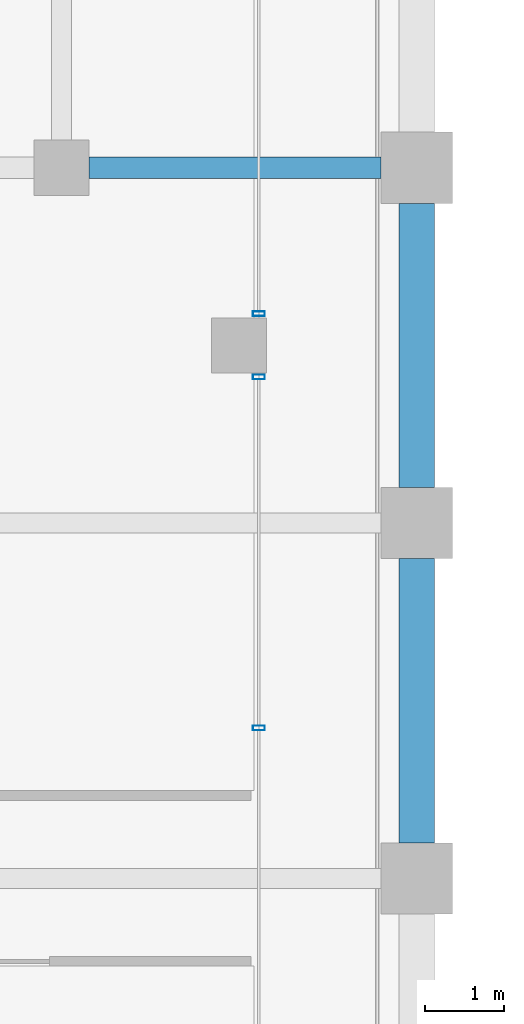
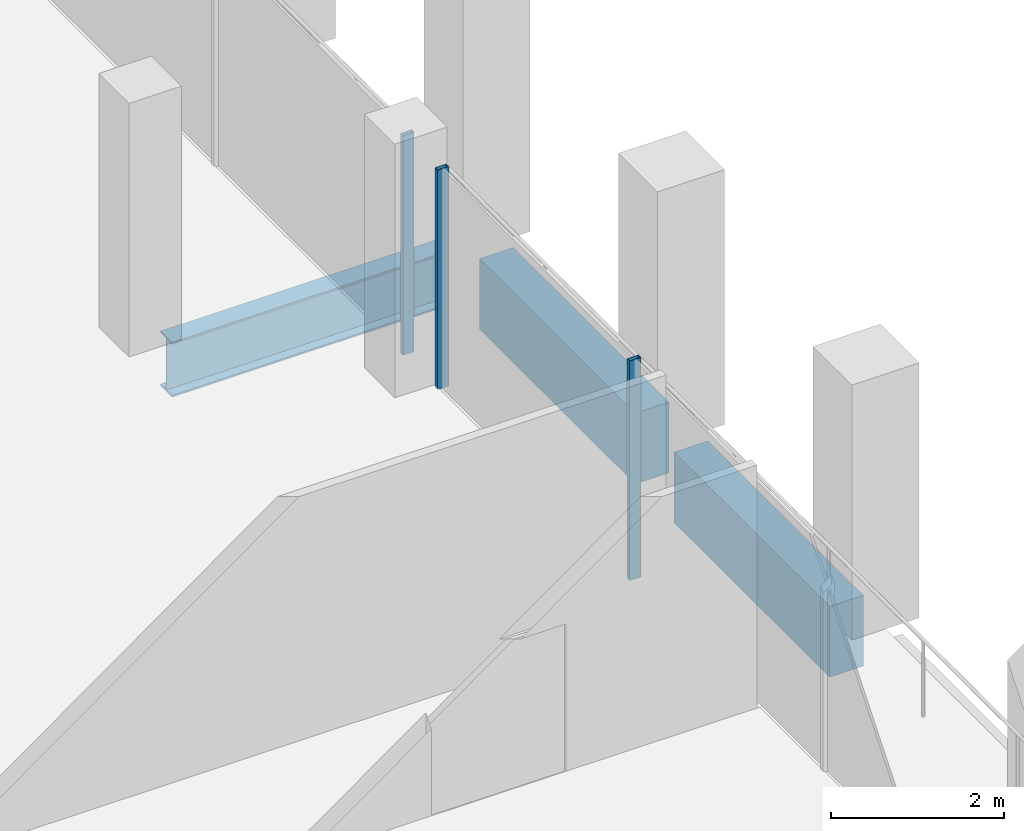
# One storey, part 19 of 40: 3 beams, 3 members, 2 elements without a shape of their own.
"""IFC4 building model written with IfcOpenShell, lengths in metres."""

from ifc_helpers import new_model, si_unit, direction, frame, origin, origin_2d, place, context, subcontext, project, spatial, rectangle, hollow_rectangle, i_section, extrude, material, material_profile, profile_set, type_object, element, aggregate, save


model = new_model("IFC4")

# Units and contexts
model_context = context("Model", 3, precision=1e-05, world=origin(), true_north=direction((0.0, 1.0)))
body_context = subcontext(model_context, "Body", "Model", "MODEL_VIEW")
ifc_project = project(units=[si_unit("LENGTHUNIT", "METRE"), si_unit("AREAUNIT", "SQUARE_METRE"), si_unit("VOLUMEUNIT", "CUBIC_METRE"), si_unit("PLANEANGLEUNIT", "RADIAN"), si_unit("MASSUNIT", "GRAM", prefix="KILO")], contexts=[model_context])

# Site, building, storey
site_placement = place(None, origin())
site = spatial("IfcSite", under=ifc_project, at=site_placement, CompositionType="ELEMENT")
building_placement = place(site_placement, origin())
building = spatial("IfcBuilding", under=site, at=building_placement, Name="Altepetl Exchange Towers", CompositionType="ELEMENT")
storey_placement = place(building_placement, frame((0.0, 0.0, 161.800048828125)))
storey = spatial("IfcBuildingStorey", under=building, at=storey_placement, Name="L40", CompositionType="ELEMENT", Elevation=161.800048828125)

# Beam
ifc_material_1 = material(Name="Steel S355", Category="steel")
ifc_material_profile_1 = material_profile(ifc_material_1, i_section(OverallWidth=0.26806640625, OverallDepth=0.77392578125, WebThickness=0.015380859375, FlangeThickness=0.025390625, at=origin_2d()), Name="W30X132")
ifc_profile_set_1 = profile_set([ifc_material_profile_1], Name="Steel S355")
beam_type_1 = type_object("IfcBeamType", Name="Girder W30X132", PredefinedType="BEAM", material=ifc_profile_set_1)
beam_placement = place(storey_placement, frame((67.85009765625, 58.5, -0.537109375), z_axis=(1.0, 0.0, 0.0), x_axis=(0.0, 1.0, 0.0)))
element("IfcBeam", 1, at=beam_placement, inside=storey, type_object=beam_type_1, Name="gd:A:L40:002", PredefinedType="BEAM", context=body_context, shape_type="SweptSolid", body=[
    extrude(i_section(OverallWidth=0.26806640625, OverallDepth=0.77392578125, WebThickness=0.015380859375, FlangeThickness=0.025390625, at=origin_2d()), origin(), (0.0, 0.0, 1.0), 3.699951171875),
])

# Curtain wall, members
ifc_material_2 = material(Name="Aluminium 6063-T6 glazing", Category="aluminium")
curtain_wall_type = type_object("IfcCurtainWallType", Name="Loggia glazing system", PredefinedType="NOTDEFINED", material=ifc_material_2)
curtain_wall_1_placement = place(storey_placement, origin())
curtain_wall_1 = element("IfcCurtainWall", 2, at=curtain_wall_1_placement, inside=storey, type_object=curtain_wall_type, Name="CW1 run", PredefinedType="NOTDEFINED")
ifc_material_3 = material(Name="Aluminium 6063-T6", Category="aluminium")
ifc_material_profile_2 = material_profile(ifc_material_3, hollow_rectangle(XDim=0.06005859375, YDim=0.14990234375, WallThickness=0.0029296875, at=origin_2d()), Name="Mullion 60x150 aluminium")
ifc_profile_set_2 = profile_set([ifc_material_profile_2], Name="Aluminium 6063-T6")
member_type = type_object("IfcMemberType", Name="Mullion 60x150 aluminium", PredefinedType="MULLION", material=ifc_profile_set_2)
member_1_placement = place(storey_placement, frame((70.0, 51.404052734375, 0.0), z_axis=(0.0, 0.0, 1.0), x_axis=(0.0, 1.0, 0.0)))
member_1 = element("IfcMember", 3, at=member_1_placement, type_object=member_type, Name="MU1 mullion", PredefinedType="MULLION", context=body_context, shape_type="SweptSolid", body=[
    extrude(hollow_rectangle(XDim=0.06005859375, YDim=0.14990234375, WallThickness=0.0029296875, at=origin_2d()), origin(), (0.0, 0.0, 1.0), 3.099853515625),
])
member_2_placement = place(storey_placement, frame((70.0, 55.85009765625, 0.0), z_axis=(0.0, 0.0, 1.0), x_axis=(0.0, 1.0, 0.0)))
member_2 = element("IfcMember", 4, at=member_2_placement, type_object=member_type, Name="MU1 mullion", PredefinedType="MULLION", context=body_context, shape_type="SweptSolid", body=[
    extrude(hollow_rectangle(XDim=0.06005859375, YDim=0.14990234375, WallThickness=0.0029296875, at=origin_2d()), origin(), (0.0, 0.0, 1.0), 3.099853515625),
])
aggregate(curtain_wall_1, [member_1, member_2])

# Curtain wall, member
curtain_wall_2_placement = place(storey_placement, origin())
curtain_wall_2 = element("IfcCurtainWall", 5, at=curtain_wall_2_placement, inside=storey, type_object=curtain_wall_type, Name="CW1 run", PredefinedType="NOTDEFINED")
member_3_placement = place(storey_placement, frame((70.0, 56.64990234375, 0.0), z_axis=(0.0, 0.0, 1.0), x_axis=(0.0, 1.0, 0.0)))
member_3 = element("IfcMember", 6, at=member_3_placement, type_object=member_type, Name="MU1 mullion", PredefinedType="MULLION", context=body_context, shape_type="SweptSolid", body=[
    extrude(hollow_rectangle(XDim=0.06005859375, YDim=0.14990234375, WallThickness=0.0029296875, at=origin_2d()), origin(), (0.0, 0.0, 1.0), 3.099853515625),
])
aggregate(curtain_wall_2, [member_3])

# Beams
ifc_material_4 = material(Name="Concrete C50/60 precast with cantera amarilla facing", Category="concrete")
ifc_material_profile_3 = material_profile(ifc_material_4, rectangle(XDim=0.449951171875, YDim=1.0, at=origin_2d()), Name="450 x 1000")
ifc_profile_set_3 = profile_set([ifc_material_profile_3], Name="Concrete C50/60 precast with cantera amarilla facing")
beam_type_2 = type_object("IfcBeamType", Name="Spandrel beam 450x1000 cantera amarilla", PredefinedType="SPANDREL", material=ifc_profile_set_3)
for number, where, z_axis, x_axis, name in (
    (7, (72.0, 49.949951171875, -0.650146484375), (0.0, 1.0, 0.0), (-1.0, 0.0, 0.0), "sp:A:L40:016"),
    (8, (72.0, 54.449951171875, -0.650146484375), (0.0, 1.0, 0.0), (-1.0, 0.0, 0.0), "sp:A:L40:017"),
):
    element("IfcBeam", number, at=place(storey_placement, frame(where, z_axis=z_axis, x_axis=x_axis)), inside=storey, type_object=beam_type_2, Name=name, PredefinedType="SPANDREL", context=body_context, shape_type="SweptSolid", body=[
        extrude(rectangle(XDim=0.449951171875, YDim=1.0, at=origin_2d()), origin(), (0.0, 0.0, 1.0), 3.60009765625),
    ])

save(model, "model.ifc")
